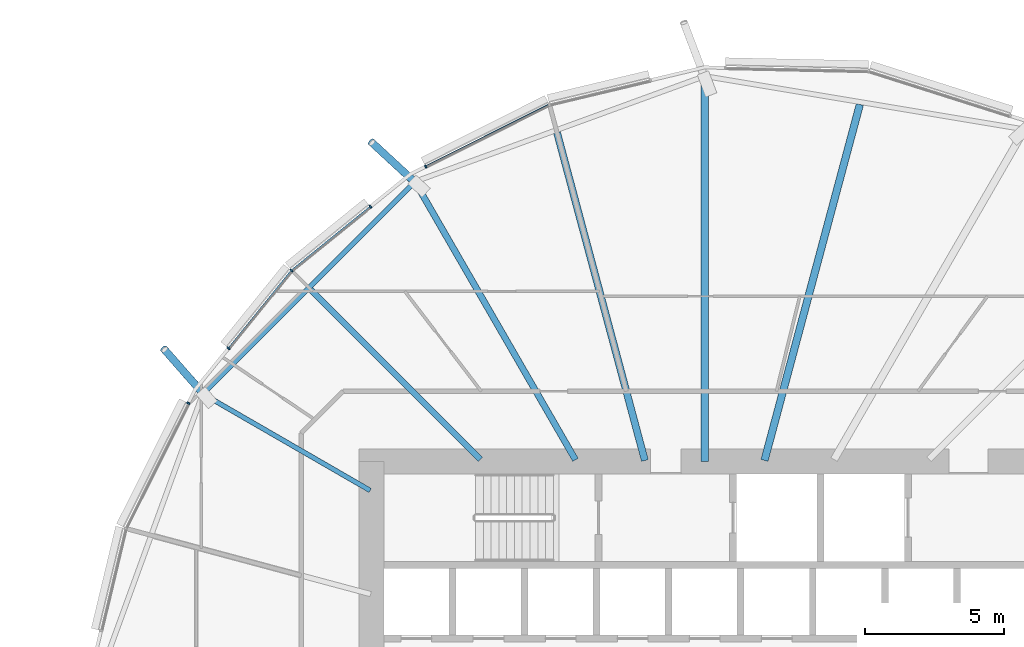
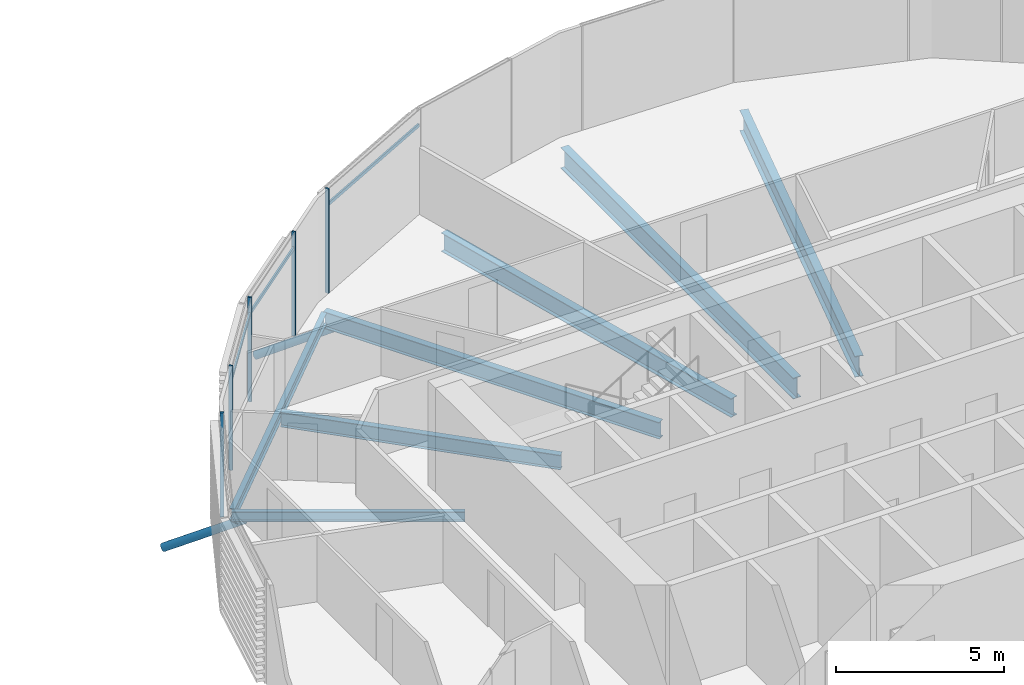
# One storey, part 16 of 38: 10 members, 7 beams, 1 element without a shape of its own.
"""IFC4 building model written with IfcOpenShell, lengths in metres."""

from ifc_helpers import new_model, si_unit, direction, frame, origin, origin_2d, place, context, subcontext, project, spatial, rectangle, hollow_circle, i_section, extrude, clip, halfspace, material, material_profile, profile_set, type_object, element, aggregate, save


model = new_model("IFC4")

# Units and contexts
model_context = context("Model", 3, precision=1e-05, world=origin(), true_north=direction((0.0, 1.0)))
body_context = subcontext(model_context, "Body", "Model", "MODEL_VIEW")
ifc_project = project(units=[si_unit("LENGTHUNIT", "METRE"), si_unit("AREAUNIT", "SQUARE_METRE"), si_unit("VOLUMEUNIT", "CUBIC_METRE"), si_unit("PLANEANGLEUNIT", "RADIAN"), si_unit("MASSUNIT", "GRAM", prefix="KILO")], contexts=[model_context])

# Site, building, storey
site_placement = place(None, origin())
site = spatial("IfcSite", under=ifc_project, at=site_placement, CompositionType="ELEMENT")
building_placement = place(site_placement, origin())
building = spatial("IfcBuilding", under=site, at=building_placement, Name="Rimbun Link Towers", CompositionType="ELEMENT")
storey_placement = place(building_placement, frame((0.0, 0.0, 68.0)))
storey = spatial("IfcBuildingStorey", under=building, at=storey_placement, Name="L16", CompositionType="ELEMENT", Elevation=68.0)

# Curtain wall, members
ifc_material_1 = material(Name="Aluminium 6063-T6 and low-iron glass", Category="aluminium")
curtain_wall_type = type_object("IfcCurtainWallType", Name="CW1 unitised vision wall", PredefinedType="NOTDEFINED", material=ifc_material_1)
curtain_wall_placement = place(storey_placement, origin())
curtain_wall = element("IfcCurtainWall", 1, at=curtain_wall_placement, inside=storey, type_object=curtain_wall_type, Name="CW1 L16 T2", PredefinedType="NOTDEFINED")
ifc_material_2 = material(Name="Aluminium 6063-T6", Category="aluminium")
ifc_material_profile_1 = material_profile(ifc_material_2, rectangle(XDim=0.1201171875, YDim=0.06005859375, at=origin_2d()), Name="MULLION 60X120")
ifc_profile_set_1 = profile_set([ifc_material_profile_1], Name="Aluminium 6063-T6")
member_type_1 = type_object("IfcMemberType", Name="CW1 mullion 60X120", PredefinedType="MULLION", material=ifc_profile_set_1)
member_1_placement = place(storey_placement, frame((21.69873046875, 18.6142578125, 0.0), z_axis=(0.0, 0.0, 1.0), x_axis=(-0.448782301468, 0.893641116942, 0.0)))
member_1 = element("IfcMember", 2, at=member_1_placement, type_object=member_type_1, Name="CW1 mullion", PredefinedType="MULLION", context=body_context, shape_type="SweptSolid", body=[
    extrude(rectangle(XDim=0.1201171875, YDim=0.06005859375, at=origin_2d()), origin(), (0.0, 0.0, 1.0), 3.800048828125),
])
member_2_placement = place(storey_placement, frame((16.87451171875, 14.87548828125, 0.0), z_axis=(0.0, 0.0, 1.0), x_axis=(-0.707106781187, 0.707106781187, 0.0)))
member_2 = element("IfcMember", 3, at=member_2_placement, type_object=member_type_1, Name="CW1 mullion", PredefinedType="MULLION", context=body_context, shape_type="SweptSolid", body=[
    extrude(rectangle(XDim=0.1201171875, YDim=0.06005859375, at=origin_2d()), origin(), (0.0, 0.0, 1.0), 3.800048828125),
])
member_3_placement = place(storey_placement, frame((19.7138671875, 17.174072265625, 0.0), z_axis=(0.0, 0.0, 1.0), x_axis=(-0.629155313069, 0.777279609946, 0.0)))
member_3 = element("IfcMember", 4, at=member_3_placement, type_object=member_type_1, Name="CW1 mullion", PredefinedType="MULLION", context=body_context, shape_type="SweptSolid", body=[
    extrude(rectangle(XDim=0.1201171875, YDim=0.06005859375, at=origin_2d()), origin(), (0.0, 0.0, 1.0), 3.800048828125),
])
member_4_placement = place(storey_placement, frame((14.607421875, 12.0751953125, 0.0), z_axis=(0.0, 0.0, 1.0), x_axis=(-0.777279609946, 0.629155313069, 0.0)))
member_4 = element("IfcMember", 5, at=member_4_placement, type_object=member_type_1, Name="CW1 mullion", PredefinedType="MULLION", context=body_context, shape_type="SweptSolid", body=[
    extrude(rectangle(XDim=0.1201171875, YDim=0.06005859375, at=origin_2d()), origin(), (0.0, 0.0, 1.0), 3.800048828125),
])
member_5_placement = place(storey_placement, frame((13.158203125, 10.095947265625, 0.0), z_axis=(0.0, 0.0, 1.0), x_axis=(-0.893641116942, 0.448782301468, 0.0)))
member_5 = element("IfcMember", 6, at=member_5_placement, type_object=member_type_1, Name="CW1 mullion", PredefinedType="MULLION", context=body_context, shape_type="SweptSolid", body=[
    extrude(rectangle(XDim=0.1201171875, YDim=0.06005859375, at=origin_2d()), origin(), (0.0, 0.0, 1.0), 3.800048828125),
])
ifc_material_3 = material(Name="Aluminium 6063-T6", Category="aluminium")
ifc_material_profile_2 = material_profile(ifc_material_3, rectangle(XDim=0.06005859375, YDim=0.1201171875, at=origin_2d()), Name="TRANSOM 60X120")
ifc_profile_set_2 = profile_set([ifc_material_profile_2], Name="Aluminium 6063-T6")
member_type_2 = type_object("IfcMemberType", Name="CW1 transom 60X120", PredefinedType="USERDEFINED", material=ifc_profile_set_2)
member_6_placement = place(storey_placement, frame((21.7265625, 18.6259765625, 3.199951171875), z_axis=(0.893642051411, 0.448780440695, 0.0), x_axis=(-0.448780440695, 0.893642051411, 0.0)))
member_6 = element("IfcMember", 7, at=member_6_placement, type_object=member_type_2, Name="CW1 transom", ObjectType="TRANSOM", PredefinedType="USERDEFINED", context=body_context, shape_type="SweptSolid", body=[
    extrude(rectangle(XDim=0.06005859375, YDim=0.1201171875, at=origin_2d()), origin(), (0.0, 0.0, 1.0), 4.921630859375),
])
member_7_placement = place(storey_placement, frame((16.90380859375, 14.89697265625, 3.199951171875), z_axis=(0.777276572955, 0.629159065051, 0.0), x_axis=(-0.629159065051, 0.777276572955, 0.0)))
member_7 = element("IfcMember", 8, at=member_7_placement, type_object=member_type_2, Name="CW1 transom", ObjectType="TRANSOM", PredefinedType="USERDEFINED", context=body_context, shape_type="SweptSolid", body=[
    extrude(rectangle(XDim=0.06005859375, YDim=0.1201171875, at=origin_2d()), origin(), (0.0, 0.0, 1.0), 3.586669921875),
])
member_8_placement = place(storey_placement, frame((14.6279296875, 12.09716796875, 3.199951171875), z_axis=(0.629146596033, 0.777286665716, 0.0), x_axis=(-0.777286665716, 0.629146596033, 0.0)))
member_8 = element("IfcMember", 9, at=member_8_placement, type_object=member_type_2, Name="CW1 transom", ObjectType="TRANSOM", PredefinedType="USERDEFINED", context=body_context, shape_type="SweptSolid", body=[
    extrude(rectangle(XDim=0.06005859375, YDim=0.1201171875, at=origin_2d()), origin(), (0.0, 0.0, 1.0), 3.53662109375),
])
aggregate(curtain_wall, [member_1, member_2, member_3, member_4, member_5, member_6, member_7, member_8])

# Members
ifc_material_4 = material(Name="Steel S355J2H", Category="steel")
ifc_material_profile_3 = material_profile(ifc_material_4, hollow_circle(Radius=0.136474609375, WallThickness=0.012451171875, at=origin_2d()), Name="CHS 273x12.5")
ifc_profile_set_3 = profile_set([ifc_material_profile_3], Name="Steel S355J2H")
member_type_3 = type_object("IfcMemberType", Name="Floor edge link CHS 273x12.5", PredefinedType="BRACE", material=ifc_profile_set_3)
member_9_placement = place(storey_placement, frame((21.341064453125, 18.02880859375, -0.880615234375), z_axis=(-0.63686515518, 0.58803235441, -0.498618816617), x_axis=(-0.678377782745, -0.734713266437, 0.0)))
element("IfcMember", 10, at=member_9_placement, inside=storey, type_object=member_type_3, Name="Floor edge link T2 L16 05", PredefinedType="BRACE", context=body_context, shape_type="Clipping", body=[
    clip(extrude(hollow_circle(Radius=0.136474609375, WallThickness=0.012451171875, at=origin_2d()), frame((0.0, 0.0, -0.49462890625)), (0.0, 0.0, 1.0), 3.009521484375), halfspace(frame((0.0, 0.0, -0.232666015625), z_axis=(0.0, 0.866821363209, -0.498618816617)), False)),
])
member_10_placement = place(storey_placement, frame((13.72119140625, 10.408935546875, -0.630615234375), z_axis=(-0.560272357851, 0.638463072886, -0.527692893253), x_axis=(-0.751632437812, -0.659582199903, 0.0)))
element("IfcMember", 11, at=member_10_placement, inside=storey, type_object=member_type_3, Name="Floor edge link T2 L16 07", PredefinedType="BRACE", context=body_context, shape_type="Clipping", body=[
    clip(extrude(hollow_circle(Radius=0.136474609375, WallThickness=0.012451171875, at=origin_2d()), frame((0.0, 0.0, -0.45849609375)), (0.0, 0.0, 1.0), 3.0439453125), halfspace(frame((0.0, 0.0, -0.21533203125), z_axis=(0.0, 0.849435230262, -0.527692893253)), False)),
])

# Beams
ifc_material_5 = material(Name="Steel S355J2", Category="steel")
ifc_material_profile_4 = material_profile(ifc_material_5, i_section(OverallWidth=0.17138671875, OverallDepth=0.35498046875, WebThickness=0.00732421875, FlangeThickness=0.011474609375, at=origin_2d()), Name="UB 356x171x51")
ifc_profile_set_4 = profile_set([ifc_material_profile_4], Name="Steel S355J2")
beam_type_1 = type_object("IfcBeamType", Name="UB 356x171x51", PredefinedType="BEAM", material=ifc_profile_set_4)
beam_1_placement = place(storey_placement, frame((19.706298828125, 6.95361328125, -0.33740234375), z_axis=(-0.866039570911, 0.499975461013, 0.0), x_axis=(-0.499975461013, -0.866039570911, 0.0)))
element("IfcBeam", 12, at=beam_1_placement, inside=storey, type_object=beam_type_1, Name="Radial beam T2 L16 07", PredefinedType="BEAM", context=body_context, shape_type="SweptSolid", body=[
    extrude(i_section(OverallWidth=0.17138671875, OverallDepth=0.35498046875, WebThickness=0.00732421875, FlangeThickness=0.011474609375, at=origin_2d()), origin(), (0.0, 0.0, 1.0), 6.960693359375),
])
ifc_material_6 = material(Name="Steel S355J2", Category="steel")
ifc_material_profile_5 = material_profile(ifc_material_6, i_section(OverallWidth=0.177978515625, OverallDepth=0.406494140625, WebThickness=0.0078125, FlangeThickness=0.0126953125, at=origin_2d()), Name="UB 406x178x60")
ifc_profile_set_5 = profile_set([ifc_material_profile_5], Name="Steel S355J2")
beam_type_2 = type_object("IfcBeamType", Name="UB 406x178x60", PredefinedType="BEAM", material=ifc_profile_set_5)
beam_2_placement = place(storey_placement, frame((21.23193359375, 17.988037109375, -0.36328125), z_axis=(-0.707095257752, -0.707118304434, 0.0), x_axis=(0.707118304434, -0.707095257752, 0.0)))
element("IfcBeam", 13, at=beam_2_placement, inside=storey, type_object=beam_type_2, Name="Edge beam T2 L16 05-07", PredefinedType="BEAM", context=body_context, shape_type="SweptSolid", body=[
    extrude(i_section(OverallWidth=0.177978515625, OverallDepth=0.406494140625, WebThickness=0.0078125, FlangeThickness=0.0126953125, at=origin_2d()), origin(), (0.0, 0.0, 1.0), 10.59326171875),
])
ifc_material_7 = material(Name="Steel S355J2", Category="steel")
ifc_material_profile_6 = material_profile(ifc_material_7, i_section(OverallWidth=0.209228515625, OverallDepth=0.533203125, WebThickness=0.010009765625, FlangeThickness=0.015625, at=origin_2d()), Name="UB 533x210x92")
ifc_profile_set_6 = profile_set([ifc_material_profile_6], Name="Steel S355J2")
beam_type_3 = type_object("IfcBeamType", Name="UB 533x210x92", PredefinedType="BEAM", material=ifc_profile_set_6)
beam_3_placement = place(storey_placement, frame((23.67529296875, 8.07470703125, -0.426513671875), z_axis=(-0.707106781187, 0.707106781187, 0.0), x_axis=(-0.707106781187, -0.707106781187, 0.0)))
element("IfcBeam", 14, at=beam_3_placement, inside=storey, type_object=beam_type_3, Name="Radial beam T2 L16 06", PredefinedType="BEAM", context=body_context, shape_type="SweptSolid", body=[
    extrude(i_section(OverallWidth=0.209228515625, OverallDepth=0.533203125, WebThickness=0.010009765625, FlangeThickness=0.015625, at=origin_2d()), origin(), (0.0, 0.0, 1.0), 8.6474609375),
])
ifc_material_8 = material(Name="Steel S355J2", Category="steel")
ifc_material_profile_7 = material_profile(ifc_material_8, i_section(OverallWidth=0.2275390625, OverallDepth=0.6025390625, WebThickness=0.010498046875, FlangeThickness=0.014892578125, at=origin_2d()), Name="UB 610x229x101")
ifc_profile_set_7 = profile_set([ifc_material_profile_7], Name="Steel S355J2")
beam_type_4 = type_object("IfcBeamType", Name="UB 610x229x101", PredefinedType="BEAM", material=ifc_profile_set_7)
beam_4_placement = place(storey_placement, frame((27.097900390625, 8.057861328125, -0.461181640625), z_axis=(-0.500003905814, 0.86602314875, 0.0), x_axis=(-0.86602314875, -0.500003905814, 0.0)))
element("IfcBeam", 15, at=beam_4_placement, inside=storey, type_object=beam_type_4, Name="Radial beam T2 L16 05", PredefinedType="BEAM", context=body_context, shape_type="SweptSolid", body=[
    extrude(i_section(OverallWidth=0.2275390625, OverallDepth=0.6025390625, WebThickness=0.010498046875, FlangeThickness=0.014892578125, at=origin_2d()), origin(), (0.0, 0.0, 1.0), 11.5634765625),
])
ifc_material_9 = material(Name="Steel S355J2", Category="steel")
ifc_material_profile_8 = material_profile(ifc_material_9, i_section(OverallWidth=0.253662109375, OverallDepth=0.68359375, WebThickness=0.012451171875, FlangeThickness=0.01904296875, at=origin_2d()), Name="UB 686x254x140")
ifc_profile_set_8 = profile_set([ifc_material_profile_8], Name="Steel S355J2")
beam_type_5 = type_object("IfcBeamType", Name="UB 686x254x140", PredefinedType="BEAM", material=ifc_profile_set_8)
beam_5_placement = place(storey_placement, frame((29.597412109375, 8.03369140625, -0.501708984375), z_axis=(-0.258823610988, 0.965924602852, 0.0), x_axis=(-0.965924602852, -0.258823610988, 0.0)))
element("IfcBeam", 16, at=beam_5_placement, inside=storey, type_object=beam_type_5, Name="Radial beam T2 L16 04", PredefinedType="BEAM", context=body_context, shape_type="SweptSolid", body=[
    extrude(i_section(OverallWidth=0.253662109375, OverallDepth=0.68359375, WebThickness=0.012451171875, FlangeThickness=0.01904296875, at=origin_2d()), origin(), (0.0, 0.0, 1.0), 12.222900390625),
])
ifc_material_10 = material(Name="Steel S355J2", Category="steel")
ifc_material_profile_9 = material_profile(ifc_material_10, i_section(OverallWidth=0.2666015625, OverallDepth=0.76220703125, WebThickness=0.014404296875, FlangeThickness=0.021484375, at=origin_2d()), Name="UB 762x267x173")
ifc_profile_set_9 = profile_set([ifc_material_profile_9], Name="Steel S355J2")
beam_type_6 = type_object("IfcBeamType", Name="UB 762x267x173", PredefinedType="BEAM", material=ifc_profile_set_9)
beam_6_placement = place(storey_placement, frame((33.903076171875, 8.035400390625, -0.541015625), z_axis=(0.258820400429, 0.965925463129, 0.0), x_axis=(-0.965925463129, 0.258820400429, 0.0)))
element("IfcBeam", 17, at=beam_6_placement, inside=storey, type_object=beam_type_6, Name="Radial beam T2 L16 02", PredefinedType="BEAM", context=body_context, shape_type="SweptSolid", body=[
    extrude(i_section(OverallWidth=0.2666015625, OverallDepth=0.76220703125, WebThickness=0.014404296875, FlangeThickness=0.021484375, at=origin_2d()), origin(), (0.0, 0.0, 1.0), 13.267333984375),
])
beam_7_placement = place(storey_placement, frame((31.75, 8.0009765625, -0.541015625), z_axis=(0.0, 1.0, 0.0), x_axis=(-1.0, 0.0, 0.0)))
element("IfcBeam", 18, at=beam_7_placement, inside=storey, type_object=beam_type_6, Name="Radial beam T2 L16 03", PredefinedType="BEAM", context=body_context, shape_type="SweptSolid", body=[
    extrude(i_section(OverallWidth=0.2666015625, OverallDepth=0.76220703125, WebThickness=0.014404296875, FlangeThickness=0.021484375, at=origin_2d()), origin(), (0.0, 0.0, 1.0), 13.870849609375),
])

save(model, "model.ifc")
